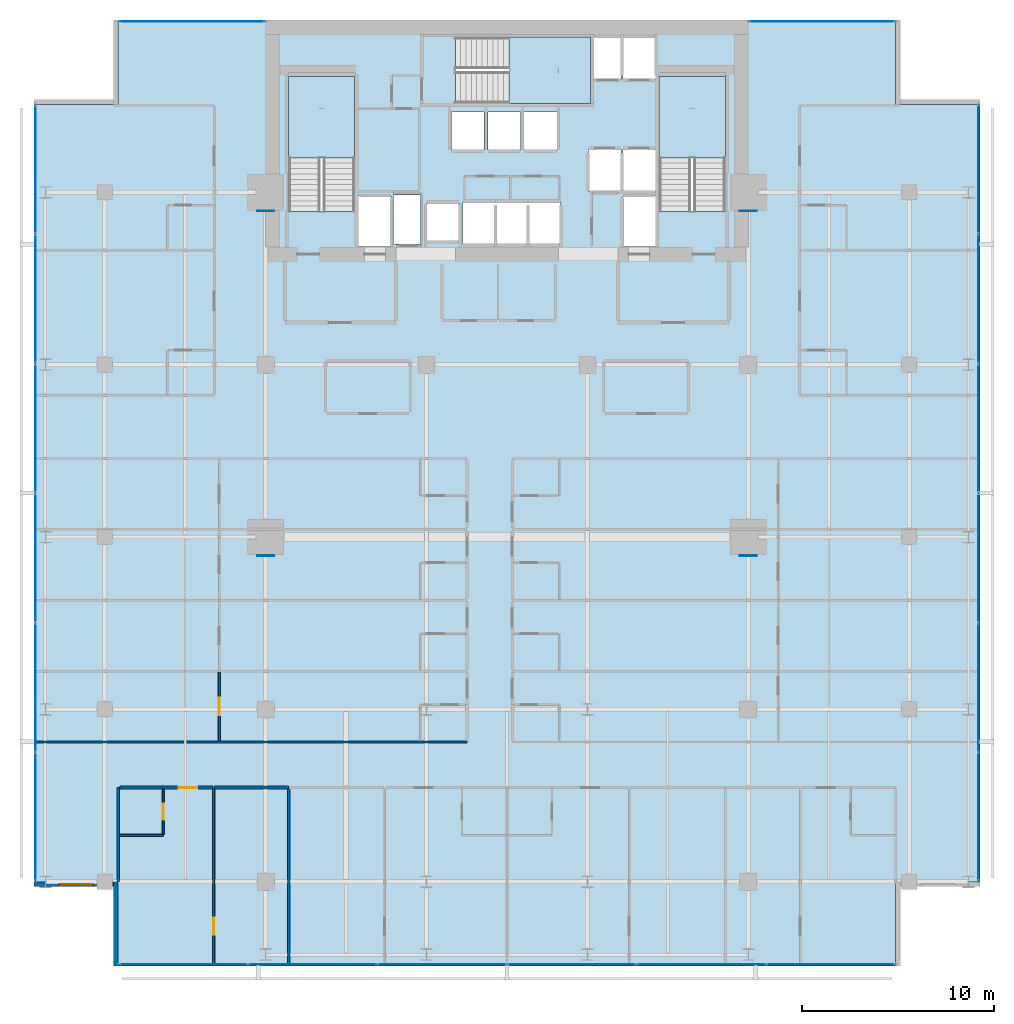
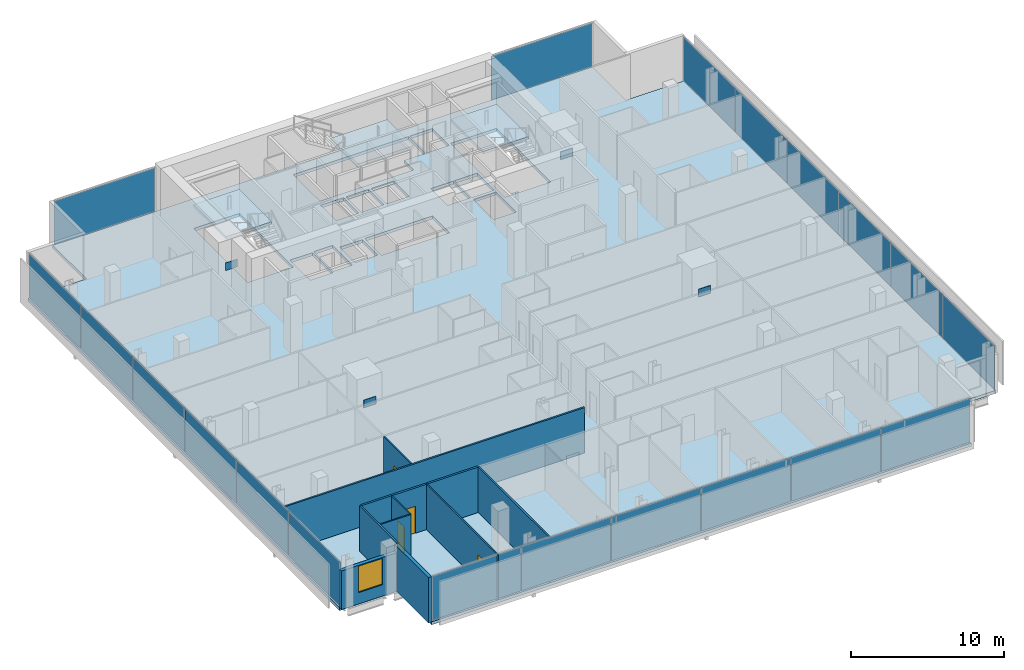
# One storey, part 26 of 34: 24 plates, 12 walls, 4 doors, 4 slabs, 1 window, 5 openings, 8 elements without a shape of their own.
"""IFC4 building model written with IfcOpenShell, lengths in metres."""

import ifcopenshell
import ifcopenshell.guid

model = None  # the IFC model being written
_history = None  # IfcOwnerHistory: only IFC2X3 demands one
_inside = {}  # id of a spatial element -> (the spatial element, [elements in it])
_under = {}  # id of a project, library or spatial element -> (it, [spatial elements below it])
_declared = {}  # id of a project -> (the project, [libraries it declares])
_typed = {}  # id of a type object -> (the type object, [elements of that type])
_made_of = {}  # id of a material, layer set ... -> (it, [elements and type objects made of it])


def new_model(schema):
    """Start an empty IFC model of exactly this schema.

    Asked for "IFC4X3", IfcOpenShell would pick the latest addendum, in which some entities
    have other attributes; the version numbers below select the first issue.
    IFC2X3 requires an IfcOwnerHistory on every rooted entity: one is made here for all.
    """
    global model, _history
    if schema == "IFC4X3":
        model = ifcopenshell.file(schema_version=(4, 3, 0, 0))
    else:
        model = ifcopenshell.file(schema=schema)
    _inside.clear()
    _under.clear()
    _declared.clear()
    _typed.clear()
    _made_of.clear()
    _history = None
    if model.schema == "IFC2X3":
        org = make("IfcOrganization", Name="unknown")
        user = make(
            "IfcPersonAndOrganization",
            ThePerson=make("IfcPerson", FamilyName="unknown"),
            TheOrganization=org,
        )
        app = make(
            "IfcApplication",
            ApplicationDeveloper=org,
            Version="unknown",
            ApplicationFullName="unknown",
            ApplicationIdentifier="unknown",
        )
        _history = make(
            "IfcOwnerHistory",
            OwningUser=user,
            OwningApplication=app,
            ChangeAction="ADDED",
            CreationDate=0,
        )
    return model


def make(cls, **values):
    """One entity of the class cls with the attributes given. An attribute that is None is left unset."""
    return model.create_entity(
        cls, **{name: value for name, value in values.items() if value is not None}
    )


def rooted(cls, **values):
    """An entity with a GlobalId (a new one), such as an element, a storey or a relation."""
    return make(cls, GlobalId=ifcopenshell.guid.new(), OwnerHistory=_history, **values)


def si_unit(unit_type, name, prefix=None):
    """IfcSIUnit, for example si_unit("LENGTHUNIT", "METRE", prefix="MILLI")."""
    return make("IfcSIUnit", UnitType=unit_type, Prefix=prefix, Name=name)


def assignment(units):
    """IfcUnitAssignment: the units of a project."""
    return None if units is None else make("IfcUnitAssignment", Units=units)


def point(xyz):
    """IfcCartesianPoint."""
    return None if xyz is None else make("IfcCartesianPoint", Coordinates=xyz)


def direction(xyz):
    """IfcDirection."""
    return None if xyz is None else make("IfcDirection", DirectionRatios=xyz)


def frame(location, z_axis=None, x_axis=None):
    """IfcAxis2Placement3D, a coordinate frame: its origin and axes. An axis left out is left unset."""
    return make(
        "IfcAxis2Placement3D",
        Location=point(location),
        Axis=direction(z_axis),
        RefDirection=direction(x_axis),
    )


def frame_2d(location, x_axis=None):
    """IfcAxis2Placement2D, a coordinate frame in the plane: its origin and x axis."""
    return make(
        "IfcAxis2Placement2D", Location=point(location), RefDirection=direction(x_axis)
    )


def origin():
    """The frame at (0, 0, 0) with its axes left unset."""
    return frame((0.0, 0.0, 0.0))


def origin_2d():
    """The frame at (0, 0) in the plane with its x axis left unset."""
    return frame_2d((0.0, 0.0))


def place(relative_to, where):
    """IfcLocalPlacement: puts the frame where relative to a parent placement (None: the world)."""
    return make(
        "IfcLocalPlacement", PlacementRelTo=relative_to, RelativePlacement=where
    )


def context(
    kind, dimensions, precision=None, world=None, true_north=None, identifier=None
):
    """IfcGeometricRepresentationContext, for example the 3D "Model" context."""
    return make(
        "IfcGeometricRepresentationContext",
        ContextIdentifier=identifier,
        ContextType=kind,
        CoordinateSpaceDimension=dimensions,
        Precision=precision,
        WorldCoordinateSystem=world,
        TrueNorth=true_north,
    )


def subcontext(parent, identifier, kind, view, scale=None):
    """IfcGeometricRepresentationSubContext, for example "Body" below "Model"."""
    return make(
        "IfcGeometricRepresentationSubContext",
        ContextIdentifier=identifier,
        ContextType=kind,
        ParentContext=parent,
        TargetScale=scale,
        TargetView=view,
    )


def project(units=None, contexts=None):
    """IfcProject with its units and contexts."""
    return rooted(
        "IfcProject",
        Name="project",
        RepresentationContexts=contexts,
        UnitsInContext=assignment(units),
    )


def spatial(cls, under=None, at=None, **own):
    """A site, building, storey or space (cls), placed at a placement, below another one or the project."""
    s = rooted(cls, ObjectPlacement=at, **own)
    if under is not None:
        _under.setdefault(under.id(), (under, []))[1].append(s)
    return s


def polyline(points):
    """IfcPolyline through the points."""
    return make("IfcPolyline", Points=[point(p) for p in points])


def profile(cls, at=None, kind="AREA", **sizes):
    """A parametric profile (cls). Its sizes go by their IFC names, for example OverallWidth=200.0."""
    return make(cls, ProfileType=kind, Position=at, **sizes)


def rectangle(**sizes):
    """IfcRectangleProfileDef."""
    return profile("IfcRectangleProfileDef", **sizes)


def outline(outer, holes=None, kind="AREA"):
    """IfcArbitraryClosedProfileDef: a profile drawn as a closed curve; with holes, ...WithVoids."""
    if holes is None:
        return make("IfcArbitraryClosedProfileDef", ProfileType=kind, OuterCurve=outer)
    return make(
        "IfcArbitraryProfileDefWithVoids",
        ProfileType=kind,
        OuterCurve=outer,
        InnerCurves=holes,
    )


def extrude(swept, where, along, depth):
    """IfcExtrudedAreaSolid: the profile swept, set in the frame where, extruded along a direction by depth."""
    return make(
        "IfcExtrudedAreaSolid",
        SweptArea=swept,
        Position=where,
        ExtrudedDirection=direction(along),
        Depth=depth,
    )


def shape(context_of_items, identifier, shape_type, items):
    """IfcShapeRepresentation: the items that make up one representation, for example the "Body"."""
    return make(
        "IfcShapeRepresentation",
        ContextOfItems=context_of_items,
        RepresentationIdentifier=identifier,
        RepresentationType=shape_type,
        Items=items,
    )


def material(Name=None, Category=None):
    """IfcMaterial."""
    return make("IfcMaterial", Name=Name, Category=Category)


def layer(
    of_material, thickness, ventilated=None, Name=None, Category=None, Priority=None
):
    """IfcMaterialLayer: one layer of a wall or slab, of a material (None: an air gap)."""
    return make(
        "IfcMaterialLayer",
        Material=of_material,
        LayerThickness=thickness,
        IsVentilated=ventilated,
        Name=Name,
        Category=Category,
        Priority=Priority,
    )


def layer_set(layers, Name=None):
    """IfcMaterialLayerSet."""
    return make("IfcMaterialLayerSet", MaterialLayers=layers, LayerSetName=Name)


def made_of(thing, what):
    """Note that an element or type object is made of a material, layer set ...; save() writes the relation."""
    if what is not None:
        _made_of.setdefault(what.id(), (what, []))[1].append(thing)
    return thing


def type_object(cls, material=None, **own):
    """A type object (cls), such as IfcWallType, which elements share."""
    return made_of(rooted(cls, **own), material)


def element(
    cls,
    number,
    at=None,
    inside=None,
    cuts=None,
    type_object=None,
    material=None,
    context=None,
    identifier="Body",
    shape_type=None,
    held_by="IfcProductDefinitionShape",
    body=None,
    shapes=None,
    **own,
):
    """One element of the class cls, such as IfcWall. Its Tag is "e" and its number.

    at: its placement. inside: the storey or other place that contains it. cuts: it is an
    opening in that element (IfcRelVoidsElement). A single representation is given by context,
    identifier, shape_type and body (its items); several are given by shapes. held_by: the class
    of the entity that holds the representations. save() writes the other relations.
    """
    e = rooted(cls, Tag="e%d" % number, ObjectPlacement=at, **own)
    if body is not None:
        shapes = [shape(context, identifier, shape_type, body)]
    if shapes is not None:
        e.Representation = make(held_by, Representations=shapes)
    if inside is not None:
        _inside.setdefault(inside.id(), (inside, []))[1].append(e)
    if cuts is not None:
        rooted(
            "IfcRelVoidsElement", RelatingBuildingElement=cuts, RelatedOpeningElement=e
        )
    if type_object is not None:
        _typed.setdefault(type_object.id(), (type_object, []))[1].append(e)
    return made_of(e, material)


def fill(opening, filler):
    """IfcRelFillsElement: the door or window that sits in an opening."""
    return rooted(
        "IfcRelFillsElement",
        RelatingOpeningElement=opening,
        RelatedBuildingElement=filler,
    )


def aggregate(whole, parts):
    """IfcRelAggregates: a whole, such as a stair, and the parts it consists of."""
    return rooted("IfcRelAggregates", RelatingObject=whole, RelatedObjects=parts)


def save(model, path):
    """Write the relations noted so far, then the file.

    IfcRelAggregates (storeys below a building ...), IfcRelContainedInSpatialStructure (elements
    in a storey), IfcRelDefinesByType, IfcRelAssociatesMaterial and IfcRelDeclares: one each for
    every whole, place, type object, material and project.
    """
    for whole, parts in _under.values():
        aggregate(whole, parts)
    for where, things in _inside.values():
        rooted(
            "IfcRelContainedInSpatialStructure",
            RelatedElements=things,
            RelatingStructure=where,
        )
    for kind, things in _typed.values():
        rooted("IfcRelDefinesByType", RelatedObjects=things, RelatingType=kind)
    for what, things in _made_of.values():
        rooted("IfcRelAssociatesMaterial", RelatedObjects=things, RelatingMaterial=what)
    for by, libraries in _declared.values():
        rooted("IfcRelDeclares", RelatingContext=by, RelatedDefinitions=libraries)
    model.write(path)


model = new_model("IFC4")

# Units and contexts
model_context = context("Model", 3, precision=1e-05, world=origin(), true_north=direction((0.0, 1.0)))
body_context = subcontext(model_context, "Body", "Model", "MODEL_VIEW")
ifc_project = project(units=[si_unit("LENGTHUNIT", "METRE"), si_unit("AREAUNIT", "SQUARE_METRE"), si_unit("VOLUMEUNIT", "CUBIC_METRE"), si_unit("PLANEANGLEUNIT", "RADIAN"), si_unit("MASSUNIT", "GRAM", prefix="KILO")], contexts=[model_context])

# Site, building, storey
site_placement = place(None, origin())
site = spatial("IfcSite", under=ifc_project, at=site_placement, CompositionType="ELEMENT")
building_placement = place(site_placement, origin())
building = spatial("IfcBuilding", under=site, at=building_placement, Name="Maruvema Waterfront Hotel and Observation Tower", CompositionType="ELEMENT")
storey_placement = place(building_placement, frame((0.0, 0.0, 192.85009765625)))
storey = spatial("IfcBuildingStorey", under=building, at=storey_placement, Name="L47", CompositionType="ELEMENT", Elevation=192.85009765625)

# Slab
ifc_material_1 = material(Name="Concrete C50/60", Category="concrete")
ifc_layer_1 = layer(ifc_material_1, 0.239990234375, Name="Reinforced Concrete Floor Slab 240 mm")
ifc_layer_set_1 = layer_set([ifc_layer_1], Name="Concrete C50/60")
slab_type_1 = type_object("IfcSlabType", Name="Reinforced Concrete Floor Slab 240 mm", PredefinedType="FLOOR", material=ifc_layer_set_1)
slab_1_placement = place(storey_placement, frame((0.0, 0.0, -0.239990234375)))
element("IfcSlab", 1, at=slab_1_placement, inside=storey, type_object=slab_type_1, Name="L47 Structural Floor Slab", PredefinedType="FLOOR", context=body_context, shape_type="SweptSolid", body=[
    extrude(outline(polyline([(17.5, 4.60009765625), (58.10009765625, 4.60009765625), (58.10009765625, 9.0), (62.5, 9.0), (62.5, 49.60009765625), (58.10009765625, 49.60009765625), (58.10009765625, 54.0), (17.5, 54.0), (17.5, 49.60009765625), (13.10009765625, 49.60009765625), (13.10009765625, 9.0), (17.5, 9.0), (17.5, 4.60009765625)]), holes=[polyline([(26.39990234375, 44.00048828125), (26.39990234375, 51.050048828125), (29.85009765625, 51.050048828125), (29.85009765625, 44.00048828125), (26.39990234375, 44.00048828125)]), polyline([(30.050048828125, 44.800048828125), (31.75, 44.800048828125), (31.75, 42.169921875), (30.050048828125, 42.169921875), (30.050048828125, 44.800048828125)]), polyline([(31.8798828125, 44.860107421875), (33.280029296875, 44.860107421875), (33.280029296875, 42.2900390625), (31.8798828125, 42.2900390625), (31.8798828125, 44.860107421875)]), polyline([(33.60009765625, 44.449951171875), (35.300048828125, 44.449951171875), (35.300048828125, 42.449951171875), (33.60009765625, 42.449951171875), (33.60009765625, 44.449951171875)]), polyline([(34.89990234375, 49.199951171875), (36.60009765625, 49.199951171875), (36.60009765625, 47.199951171875), (34.89990234375, 47.199951171875), (34.89990234375, 49.199951171875)]), polyline([(36.800048828125, 49.199951171875), (38.5, 49.199951171875), (38.5, 47.199951171875), (36.800048828125, 47.199951171875), (36.800048828125, 49.199951171875)]), polyline([(35.5, 42.300048828125), (35.5, 44.5), (40.60009765625, 44.5), (40.60009765625, 42.300048828125), (35.5, 42.300048828125)]), polyline([(35.1005859375, 53.10009765625), (43.75, 53.10009765625), (43.75, 50.89990234375), (42.14990234375, 50.89990234375), (42.14990234375, 49.64990234375), (35.1005859375, 49.64990234375), (35.1005859375, 53.10009765625)]), polyline([(38.699951171875, 49.199951171875), (40.39990234375, 49.199951171875), (40.39990234375, 47.199951171875), (38.699951171875, 47.199951171875), (38.699951171875, 49.199951171875)]), polyline([(42.050048828125, 47.25), (43.75, 47.25), (43.75, 45.050048828125), (42.050048828125, 45.050048828125), (42.050048828125, 47.25)]), polyline([(43.85009765625, 44.800048828125), (45.550048828125, 44.800048828125), (45.550048828125, 42.169921875), (43.85009765625, 42.169921875), (43.85009765625, 44.800048828125)]), polyline([(43.85009765625, 47.25), (45.550048828125, 47.25), (45.550048828125, 45.050048828125), (43.85009765625, 45.050048828125), (43.85009765625, 47.25)]), polyline([(45.550048828125, 53.10009765625), (45.550048828125, 50.89990234375), (43.85009765625, 50.89990234375), (43.85009765625, 53.10009765625), (45.550048828125, 53.10009765625)]), polyline([(45.75, 44.00048828125), (45.75, 51.050048828125), (49.199951171875, 51.050048828125), (49.199951171875, 44.00048828125), (45.75, 44.00048828125)])]), origin(), (0.0, 0.0, 1.0), 0.239990234375),
])

# Curtain wall, plates
ifc_material_2 = material(Name="Anodised bronze aluminium and solar-control low-E IGU", Category="aluminium")
ifc_layer_2 = layer(ifc_material_2, 0.159912109375, Name="Zone 2 Amber Inner Thermal Curtain Wall System CW-03")
ifc_layer_set_2 = layer_set([ifc_layer_2], Name="Anodised bronze aluminium and solar-control low-E IGU")
curtain_wall_type = type_object("IfcCurtainWallType", Name="Zone 2 Amber Inner Thermal Curtain Wall System CW-03", PredefinedType="USERDEFINED", material=ifc_layer_set_2)
curtain_wall_1_placement = place(storey_placement, origin())
curtain_wall_1 = element("IfcCurtainWall", 2, at=curtain_wall_1_placement, inside=storey, type_object=curtain_wall_type, Name="L47 Curtain Wall CW-L47-S", ObjectType="UNITISED CURTAIN WALL", PredefinedType="USERDEFINED")
ifc_material_3 = material(Name="Laminated low-E solar-control double glazing", Category="glass")
ifc_layer_3 = layer(ifc_material_3, 0.035888671875, Name="Solar Control Double-Glazed Curtain Panel 36 mm")
ifc_layer_set_3 = layer_set([ifc_layer_3], Name="Laminated low-E solar-control double glazing")
plate_type_1 = type_object("IfcPlateType", Name="Solar Control Double-Glazed Curtain Panel 36 mm", PredefinedType="CURTAIN_PANEL", material=ifc_layer_set_3)
plate_1_placement = place(storey_placement, frame((20.8984375, 4.679931640625, 0.06005859375), z_axis=(0.0, 0.0, 1.0), x_axis=(1.0, 0.0, 0.0)))
plate_1 = element("IfcPlate", 3, at=plate_1_placement, type_object=plate_type_1, Name="CW-03 panel 1.1", PredefinedType="CURTAIN_PANEL", context=body_context, shape_type="SweptSolid", body=[
    extrude(rectangle(XDim=6.6767578125, YDim=0.028076171875, at=origin_2d()), origin(), (0.0, 0.0, 1.0), 3.489990234375),
])
plate_2_placement = place(storey_placement, frame((27.64990234375, 4.679931640625, 0.06005859375), z_axis=(0.0, 0.0, 1.0), x_axis=(1.0, 0.0, 0.0)))
plate_2 = element("IfcPlate", 4, at=plate_2_placement, type_object=plate_type_1, Name="CW-03 panel 2.1", PredefinedType="CURTAIN_PANEL", context=body_context, shape_type="SweptSolid", body=[
    extrude(rectangle(XDim=6.706787109375, YDim=0.028076171875, at=origin_2d()), origin(), (0.0, 0.0, 1.0), 3.489990234375),
])
plate_3_placement = place(storey_placement, frame((34.416748046875, 4.679931640625, 0.06005859375), z_axis=(0.0, 0.0, 1.0), x_axis=(1.0, 0.0, 0.0)))
plate_3 = element("IfcPlate", 5, at=plate_3_placement, type_object=plate_type_1, Name="CW-03 panel 3.1", PredefinedType="CURTAIN_PANEL", context=body_context, shape_type="SweptSolid", body=[
    extrude(rectangle(XDim=6.706787109375, YDim=0.028076171875, at=origin_2d()), origin(), (0.0, 0.0, 1.0), 3.489990234375),
])
plate_4_placement = place(storey_placement, frame((41.183349609375, 4.679931640625, 0.06005859375), z_axis=(0.0, 0.0, 1.0), x_axis=(1.0, 0.0, 0.0)))
plate_4 = element("IfcPlate", 6, at=plate_4_placement, type_object=plate_type_1, Name="CW-03 panel 4.1", PredefinedType="CURTAIN_PANEL", context=body_context, shape_type="SweptSolid", body=[
    extrude(rectangle(XDim=6.706787109375, YDim=0.028076171875, at=origin_2d()), origin(), (0.0, 0.0, 1.0), 3.489990234375),
])
plate_5_placement = place(storey_placement, frame((47.949951171875, 4.679931640625, 0.06005859375), z_axis=(0.0, 0.0, 1.0), x_axis=(1.0, 0.0, 0.0)))
plate_5 = element("IfcPlate", 7, at=plate_5_placement, type_object=plate_type_1, Name="CW-03 panel 5.1", PredefinedType="CURTAIN_PANEL", context=body_context, shape_type="SweptSolid", body=[
    extrude(rectangle(XDim=6.706787109375, YDim=0.028076171875, at=origin_2d()), origin(), (0.0, 0.0, 1.0), 3.489990234375),
])
plate_6_placement = place(storey_placement, frame((54.70166015625, 4.679931640625, 0.06005859375), z_axis=(0.0, 0.0, 1.0), x_axis=(1.0, 0.0, 0.0)))
plate_6 = element("IfcPlate", 8, at=plate_6_placement, type_object=plate_type_1, Name="CW-03 panel 6.1", PredefinedType="CURTAIN_PANEL", context=body_context, shape_type="SweptSolid", body=[
    extrude(rectangle(XDim=6.6767578125, YDim=0.028076171875, at=origin_2d()), origin(), (0.0, 0.0, 1.0), 3.489990234375),
])
aggregate(curtain_wall_1, [plate_1, plate_2, plate_3, plate_4, plate_5, plate_6])

curtain_wall_2_placement = place(storey_placement, origin())
curtain_wall_2 = element("IfcCurtainWall", 9, at=curtain_wall_2_placement, inside=storey, type_object=curtain_wall_type, Name="L47 Curtain Wall CW-L47-E", ObjectType="UNITISED CURTAIN WALL", PredefinedType="USERDEFINED")
plate_7_placement = place(storey_placement, frame((62.419921875, 12.3984375, 0.06005859375), z_axis=(0.0, 0.0, 1.0), x_axis=(0.0, 1.0, 0.0)))
plate_7 = element("IfcPlate", 10, at=plate_7_placement, type_object=plate_type_1, Name="CW-03 panel 1.1", PredefinedType="CURTAIN_PANEL", context=body_context, shape_type="SweptSolid", body=[
    extrude(rectangle(XDim=6.6767578125, YDim=0.028076171875, at=origin_2d()), origin(), (0.0, 0.0, 1.0), 3.489990234375),
])
plate_8_placement = place(storey_placement, frame((62.419921875, 19.14990234375, 0.06005859375), z_axis=(0.0, 0.0, 1.0), x_axis=(0.0, 1.0, 0.0)))
plate_8 = element("IfcPlate", 11, at=plate_8_placement, type_object=plate_type_1, Name="CW-03 panel 2.1", PredefinedType="CURTAIN_PANEL", context=body_context, shape_type="SweptSolid", body=[
    extrude(rectangle(XDim=6.706787109375, YDim=0.028076171875, at=origin_2d()), origin(), (0.0, 0.0, 1.0), 3.489990234375),
])
plate_9_placement = place(storey_placement, frame((62.419921875, 25.916748046875, 0.06005859375), z_axis=(0.0, 0.0, 1.0), x_axis=(0.0, 1.0, 0.0)))
plate_9 = element("IfcPlate", 12, at=plate_9_placement, type_object=plate_type_1, Name="CW-03 panel 3.1", PredefinedType="CURTAIN_PANEL", context=body_context, shape_type="SweptSolid", body=[
    extrude(rectangle(XDim=6.706787109375, YDim=0.028076171875, at=origin_2d()), origin(), (0.0, 0.0, 1.0), 3.489990234375),
])
plate_10_placement = place(storey_placement, frame((62.419921875, 32.683349609375, 0.06005859375), z_axis=(0.0, 0.0, 1.0), x_axis=(0.0, 1.0, 0.0)))
plate_10 = element("IfcPlate", 13, at=plate_10_placement, type_object=plate_type_1, Name="CW-03 panel 4.1", PredefinedType="CURTAIN_PANEL", context=body_context, shape_type="SweptSolid", body=[
    extrude(rectangle(XDim=6.706787109375, YDim=0.028076171875, at=origin_2d()), origin(), (0.0, 0.0, 1.0), 3.489990234375),
])
plate_11_placement = place(storey_placement, frame((62.419921875, 39.449951171875, 0.06005859375), z_axis=(0.0, 0.0, 1.0), x_axis=(0.0, 1.0, 0.0)))
plate_11 = element("IfcPlate", 14, at=plate_11_placement, type_object=plate_type_1, Name="CW-03 panel 5.1", PredefinedType="CURTAIN_PANEL", context=body_context, shape_type="SweptSolid", body=[
    extrude(rectangle(XDim=6.706787109375, YDim=0.028076171875, at=origin_2d()), origin(), (0.0, 0.0, 1.0), 3.489990234375),
])
plate_12_placement = place(storey_placement, frame((62.419921875, 46.20166015625, 0.06005859375), z_axis=(0.0, 0.0, 1.0), x_axis=(0.0, 1.0, 0.0)))
plate_12 = element("IfcPlate", 15, at=plate_12_placement, type_object=plate_type_1, Name="CW-03 panel 6.1", PredefinedType="CURTAIN_PANEL", context=body_context, shape_type="SweptSolid", body=[
    extrude(rectangle(XDim=6.6767578125, YDim=0.028076171875, at=origin_2d()), origin(), (0.0, 0.0, 1.0), 3.489990234375),
])
aggregate(curtain_wall_2, [plate_7, plate_8, plate_9, plate_10, plate_11, plate_12])

curtain_wall_3_placement = place(storey_placement, origin())
curtain_wall_3 = element("IfcCurtainWall", 16, at=curtain_wall_3_placement, inside=storey, type_object=curtain_wall_type, Name="L47 Curtain Wall CW-L47-W", ObjectType="UNITISED CURTAIN WALL", PredefinedType="USERDEFINED")
plate_13_placement = place(storey_placement, frame((13.179931640625, 46.20166015625, 0.06005859375), z_axis=(0.0, 0.0, 1.0), x_axis=(0.0, -1.0, 0.0)))
plate_13 = element("IfcPlate", 17, at=plate_13_placement, type_object=plate_type_1, Name="CW-03 panel 1.1", PredefinedType="CURTAIN_PANEL", context=body_context, shape_type="SweptSolid", body=[
    extrude(rectangle(XDim=6.6767578125, YDim=0.028076171875, at=origin_2d()), origin(), (0.0, 0.0, 1.0), 3.489990234375),
])
plate_14_placement = place(storey_placement, frame((13.179931640625, 39.449951171875, 0.06005859375), z_axis=(0.0, 0.0, 1.0), x_axis=(0.0, -1.0, 0.0)))
plate_14 = element("IfcPlate", 18, at=plate_14_placement, type_object=plate_type_1, Name="CW-03 panel 2.1", PredefinedType="CURTAIN_PANEL", context=body_context, shape_type="SweptSolid", body=[
    extrude(rectangle(XDim=6.706787109375, YDim=0.028076171875, at=origin_2d()), origin(), (0.0, 0.0, 1.0), 3.489990234375),
])
plate_15_placement = place(storey_placement, frame((13.179931640625, 32.683349609375, 0.06005859375), z_axis=(0.0, 0.0, 1.0), x_axis=(0.0, -1.0, 0.0)))
plate_15 = element("IfcPlate", 19, at=plate_15_placement, type_object=plate_type_1, Name="CW-03 panel 3.1", PredefinedType="CURTAIN_PANEL", context=body_context, shape_type="SweptSolid", body=[
    extrude(rectangle(XDim=6.706787109375, YDim=0.028076171875, at=origin_2d()), origin(), (0.0, 0.0, 1.0), 3.489990234375),
])
plate_16_placement = place(storey_placement, frame((13.179931640625, 25.916748046875, 0.06005859375), z_axis=(0.0, 0.0, 1.0), x_axis=(0.0, -1.0, 0.0)))
plate_16 = element("IfcPlate", 20, at=plate_16_placement, type_object=plate_type_1, Name="CW-03 panel 4.1", PredefinedType="CURTAIN_PANEL", context=body_context, shape_type="SweptSolid", body=[
    extrude(rectangle(XDim=6.706787109375, YDim=0.028076171875, at=origin_2d()), origin(), (0.0, 0.0, 1.0), 3.489990234375),
])
plate_17_placement = place(storey_placement, frame((13.179931640625, 19.14990234375, 0.06005859375), z_axis=(0.0, 0.0, 1.0), x_axis=(0.0, -1.0, 0.0)))
plate_17 = element("IfcPlate", 21, at=plate_17_placement, type_object=plate_type_1, Name="CW-03 panel 5.1", PredefinedType="CURTAIN_PANEL", context=body_context, shape_type="SweptSolid", body=[
    extrude(rectangle(XDim=6.706787109375, YDim=0.028076171875, at=origin_2d()), origin(), (0.0, 0.0, 1.0), 3.489990234375),
])
plate_18_placement = place(storey_placement, frame((13.179931640625, 12.3984375, 0.06005859375), z_axis=(0.0, 0.0, 1.0), x_axis=(0.0, -1.0, 0.0)))
plate_18 = element("IfcPlate", 22, at=plate_18_placement, type_object=plate_type_1, Name="CW-03 panel 6.1", PredefinedType="CURTAIN_PANEL", context=body_context, shape_type="SweptSolid", body=[
    extrude(rectangle(XDim=6.6767578125, YDim=0.028076171875, at=origin_2d()), origin(), (0.0, 0.0, 1.0), 3.489990234375),
])
aggregate(curtain_wall_3, [plate_13, plate_14, plate_15, plate_16, plate_17, plate_18])

# Curtain wall, plate
curtain_wall_4_placement = place(storey_placement, origin())
curtain_wall_4 = element("IfcCurtainWall", 23, at=curtain_wall_4_placement, inside=storey, type_object=curtain_wall_type, Name="L47 Curtain Wall CW-L47-NW", ObjectType="UNITISED CURTAIN WALL", PredefinedType="USERDEFINED")
plate_19_placement = place(storey_placement, frame((21.35009765625, 53.919921875, 0.06005859375), z_axis=(0.0, 0.0, 1.0), x_axis=(-1.0, 0.0, 0.0)))
plate_19 = element("IfcPlate", 24, at=plate_19_placement, type_object=plate_type_1, Name="CW-03 panel 1.1", PredefinedType="CURTAIN_PANEL", context=body_context, shape_type="SweptSolid", body=[
    extrude(rectangle(XDim=7.580078125, YDim=0.028076171875, at=origin_2d()), origin(), (0.0, 0.0, 1.0), 3.489990234375),
])
aggregate(curtain_wall_4, [plate_19])

curtain_wall_5_placement = place(storey_placement, origin())
curtain_wall_5 = element("IfcCurtainWall", 25, at=curtain_wall_5_placement, inside=storey, type_object=curtain_wall_type, Name="L47 Curtain Wall CW-L47-NE", ObjectType="UNITISED CURTAIN WALL", PredefinedType="USERDEFINED")
plate_20_placement = place(storey_placement, frame((54.25, 53.919921875, 0.06005859375), z_axis=(0.0, 0.0, 1.0), x_axis=(-1.0, 0.0, 0.0)))
plate_20 = element("IfcPlate", 26, at=plate_20_placement, type_object=plate_type_1, Name="CW-03 panel 1.1", PredefinedType="CURTAIN_PANEL", context=body_context, shape_type="SweptSolid", body=[
    extrude(rectangle(XDim=7.580078125, YDim=0.028076171875, at=origin_2d()), origin(), (0.0, 0.0, 1.0), 3.489990234375),
])
aggregate(curtain_wall_5, [plate_20])

# Stair, slab
ifc_material_4 = material(Name="Concrete C50/60", Category="concrete")
stair_type = type_object("IfcStairType", Name="Dogleg Exit Stair 1650 mm (22R x 175.0 mm)", PredefinedType="HALF_TURN_STAIR", material=ifc_material_4)
stair_1_placement = place(storey_placement, origin())
stair_1 = element("IfcStair", 27, at=stair_1_placement, inside=storey, type_object=stair_type, Name="L47 ST-01", PredefinedType="HALF_TURN_STAIR")
ifc_material_5 = material(Name="Concrete C50/60", Category="concrete")
ifc_layer_4 = layer(ifc_material_5, 0.219970703125, Name="Stair Concrete Landing Slab 220 mm")
ifc_layer_set_4 = layer_set([ifc_layer_4], Name="Concrete C50/60")
slab_type_2 = type_object("IfcSlabType", Name="Stair Concrete Landing Slab 220 mm", PredefinedType="LANDING", material=ifc_layer_set_4)
slab_2_placement = place(storey_placement, frame((0.0, 0.0, 1.704833984375)))
slab_2 = element("IfcSlab", 28, at=slab_2_placement, type_object=slab_type_2, Name="ST-01 landing 1", PredefinedType="LANDING", context=body_context, shape_type="SweptSolid", body=[
    extrude(outline(polyline([(29.85009765625, 46.800048828125), (29.85009765625, 51.050048828125), (26.39990234375, 51.050048828125), (26.39990234375, 46.800048828125), (29.85009765625, 46.800048828125)])), origin(), (0.0, 0.0, 1.0), 0.219970703125),
])
aggregate(stair_1, [slab_2])

stair_2_placement = place(storey_placement, origin())
stair_2 = element("IfcStair", 29, at=stair_2_placement, inside=storey, type_object=stair_type, Name="L47 ST-02", PredefinedType="HALF_TURN_STAIR")
slab_3_placement = place(storey_placement, frame((0.0, 0.0, 1.704833984375)))
slab_3 = element("IfcSlab", 30, at=slab_3_placement, type_object=slab_type_2, Name="ST-02 landing 1", PredefinedType="LANDING", context=body_context, shape_type="SweptSolid", body=[
    extrude(outline(polyline([(37.89990234375, 49.64990234375), (42.14990234375, 49.64990234375), (42.14990234375, 53.10009765625), (37.89990234375, 53.10009765625), (37.89990234375, 49.64990234375)])), origin(), (0.0, 0.0, 1.0), 0.219970703125),
])
aggregate(stair_2, [slab_3])

stair_3_placement = place(storey_placement, origin())
stair_3 = element("IfcStair", 31, at=stair_3_placement, inside=storey, type_object=stair_type, Name="L47 ST-03", PredefinedType="HALF_TURN_STAIR")
slab_4_placement = place(storey_placement, frame((0.0, 0.0, 1.704833984375)))
slab_4 = element("IfcSlab", 32, at=slab_4_placement, type_object=slab_type_2, Name="ST-03 landing 1", PredefinedType="LANDING", context=body_context, shape_type="SweptSolid", body=[
    extrude(outline(polyline([(49.199951171875, 46.800048828125), (49.199951171875, 51.050048828125), (45.75, 51.050048828125), (45.75, 46.800048828125), (49.199951171875, 46.800048828125)])), origin(), (0.0, 0.0, 1.0), 0.219970703125),
])
aggregate(stair_3, [slab_4])

# Plates
ifc_material_6 = material(Name="Steel ABNT NBR 7007 AR 415 (ASTM A572 Grade 50)", Category="steel")
ifc_layer_5 = layer(ifc_material_6, 0.0400390625, Name="Structural Truss Node Gusset Plate 40 mm")
ifc_layer_set_5 = layer_set([ifc_layer_5], Name="Steel ABNT NBR 7007 AR 415 (ASTM A572 Grade 50)")
plate_type_2 = type_object("IfcPlateType", Name="Structural Truss Node Gusset Plate 40 mm", PredefinedType="USERDEFINED", material=ifc_layer_set_5)
for number, where, z_axis, x_axis, name in (
    (33, (25.199951171875, 26.030029296875, 1.499755859375), (0.0, 0.0, 1.0), (1.0, 0.0, 0.0), "L47 MC-01 Moment Frame Continuity Gusset Plate"),
    (34, (50.39990234375, 26.030029296875, 1.499755859375), (0.0, 0.0, 1.0), (1.0, 0.0, 0.0), "L47 MC-02 Moment Frame Continuity Gusset Plate"),
    (35, (25.199951171875, 44.030029296875, 1.499755859375), (0.0, 0.0, 1.0), (1.0, 0.0, 0.0), "L47 MC-03 Moment Frame Continuity Gusset Plate"),
    (36, (50.39990234375, 44.030029296875, 1.499755859375), (0.0, 0.0, 1.0), (1.0, 0.0, 0.0), "L47 MC-04 Moment Frame Continuity Gusset Plate"),
):
    element("IfcPlate", number, at=place(storey_placement, frame(where, z_axis=z_axis, x_axis=x_axis)), inside=storey, type_object=plate_type_2, Name=name, ObjectType="GUSSET_PLATE", PredefinedType="USERDEFINED", context=body_context, shape_type="SweptSolid", body=[
        extrude(rectangle(XDim=0.89990234375, YDim=0.0400390625, at=origin_2d()), origin(), (0.0, 0.0, 1.0), 0.60009765625),
    ])

# Wall
ifc_material_7 = material(Name="Twin-stud acoustic gypsum drywall", Category="gypsum")
ifc_layer_6 = layer(ifc_material_7, 0.14990234375, Name="Acoustic Corridor and Suite Demising Wall 150 mm")
ifc_layer_set_6 = layer_set([ifc_layer_6], Name="Twin-stud acoustic gypsum drywall")
wall_type_1 = type_object("IfcWallType", Name="Acoustic Corridor and Suite Demising Wall 150 mm", PredefinedType="PARTITIONING", material=ifc_layer_set_6)
wall_1_placement = place(storey_placement, frame((17.580078125, 13.919921875, 0.0), z_axis=(0.0, 0.0, 1.0), x_axis=(1.0, 0.0, 0.0)))
element("IfcWall", 37, at=wall_1_placement, inside=storey, type_object=wall_type_1, Name="L47 Bath L47-S1 Back Wall 037", PredefinedType="PARTITIONING", context=body_context, shape_type="SweptSolid", body=[
    extrude(rectangle(XDim=2.27001953125, YDim=0.14990234375, at=frame_2d((1.135009765625, 0.0))), origin(), (0.0, 0.0, 1.0), 3.60986328125),
])

# Wall, opening, door
wall_2_placement = place(storey_placement, frame((19.85009765625, 13.919921875, 0.0), z_axis=(0.0, 0.0, 1.0), x_axis=(1.0, 0.0, 0.0)))
wall_2 = element("IfcWall", 38, at=wall_2_placement, inside=storey, type_object=wall_type_1, Name="L47 Unit L47-S1 Corridor Wall 040", PredefinedType="PARTITIONING", context=body_context, shape_type="SweptSolid", body=[
    extrude(rectangle(XDim=2.593994140625, YDim=0.14990234375, at=frame_2d((1.296875, 0.0))), origin(), (0.0, 0.0, 1.0), 3.60986328125),
])
opening_1_placement = place(wall_2_placement, frame((0.822021484375, 0.0, 0.0)))
opening_1 = element("IfcOpeningElement", 39, at=opening_1_placement, cuts=wall_2, Name="Opening DR-095", PredefinedType="OPENING", context=body_context, shape_type="SweptSolid", body=[
    extrude(rectangle(XDim=0.949951171875, YDim=2.14990234375, at=frame_2d((0.47509765625, 1.074951171875))), frame((0.0, 0.0849609375, 0.0), z_axis=(0.0, -1.0, 0.0), x_axis=(1.0, 0.0, 0.0)), (0.0, 0.0, 1.0), 0.169921875),
])
ifc_material_8 = material(Name="Acoustic solid-core hardwood timber leaf", Category="wood")
door_type_1 = type_object("IfcDoorType", Name="Guestroom Entrance Fire Door 950x2150 mm", OperationType="NOTDEFINED", PredefinedType="DOOR", material=ifc_material_8)
door_1_placement = place(opening_1_placement, frame((0.949951171875, 0.0, 0.0), z_axis=(0.0, 0.0, 1.0), x_axis=(-1.0, 0.0, 0.0)))
door_1 = element("IfcDoor", 40, at=door_1_placement, inside=storey, type_object=door_type_1, Name="L47 Unit L47-S1 Entrance Door", OperationType="SINGLE_SWING_RIGHT", OverallHeight=2.14990234375, OverallWidth=0.949951171875, PredefinedType="DOOR", context=body_context, shape_type="SweptSolid", body=[
    extrude(rectangle(XDim=0.949951171875, YDim=2.14990234375, at=frame_2d((0.47509765625, 1.074951171875))), frame((0.0, 0.02490234375, 0.0), z_axis=(0.0, -1.0, 0.0), x_axis=(1.0, 0.0, 0.0)), (0.0, 0.0, 1.0), 0.050048828125),
])
fill(opening_1, door_1)

# Walls
wall_3_placement = place(storey_placement, frame((22.52392578125, 13.919921875, 0.0), z_axis=(0.0, 0.0, 1.0), x_axis=(1.0, 0.0, 0.0)))
element("IfcWall", 41, at=wall_3_placement, inside=storey, type_object=wall_type_1, Name="L47 Bedroom L47-S1 Back Wall 041", PredefinedType="PARTITIONING", context=body_context, shape_type="SweptSolid", body=[
    extrude(rectangle(XDim=3.85595703125, YDim=0.14990234375, at=frame_2d((1.927978515625, 0.0))), origin(), (0.0, 0.0, 1.0), 3.60986328125),
])
ifc_material_9 = material(Name="Moisture-resistant cement-board drywall", Category="gypsum")
ifc_layer_7 = layer(ifc_material_9, 0.10009765625, Name="En-Suite Moisture-Resistant Partition 100 mm")
ifc_layer_set_7 = layer_set([ifc_layer_7], Name="Moisture-resistant cement-board drywall")
wall_type_2 = type_object("IfcWallType", Name="En-Suite Moisture-Resistant Partition 100 mm", PredefinedType="PARTITIONING", material=ifc_layer_set_7)
wall_4_placement = place(storey_placement, frame((17.580078125, 11.419921875, 0.0), z_axis=(0.0, 0.0, 1.0), x_axis=(1.0, 0.0, 0.0)))
element("IfcWall", 42, at=wall_4_placement, inside=storey, type_object=wall_type_2, Name="L47 En-Suite L47-S1 South 038", PredefinedType="PARTITIONING", context=body_context, shape_type="SweptSolid", body=[
    extrude(rectangle(XDim=2.27001953125, YDim=0.10009765625, at=frame_2d((1.135009765625, 0.0))), origin(), (0.0, 0.0, 1.0), 3.60986328125),
])

# Wall, opening, door
wall_5_placement = place(storey_placement, frame((19.85009765625, 11.47998046875, 0.0), z_axis=(0.0, 0.0, 1.0), x_axis=(0.0, 1.0, 0.0)))
wall_5 = element("IfcWall", 43, at=wall_5_placement, inside=storey, type_object=wall_type_2, Name="L47 En-Suite L47-S1 East 039", PredefinedType="PARTITIONING", context=body_context, shape_type="SweptSolid", body=[
    extrude(rectangle(XDim=2.340087890625, YDim=0.10009765625, at=frame_2d((1.169921875, 0.0))), origin(), (0.0, 0.0, 1.0), 3.60986328125),
])
opening_2_placement = place(wall_5_placement, frame((0.7451171875, 0.0, 0.0)))
opening_2 = element("IfcOpeningElement", 44, at=opening_2_placement, cuts=wall_5, Name="Opening DR-085", PredefinedType="OPENING", context=body_context, shape_type="SweptSolid", body=[
    extrude(rectangle(XDim=0.85009765625, YDim=2.10009765625, at=frame_2d((0.425048828125, 1.050048828125))), frame((0.0, 0.06005859375, 0.0), z_axis=(0.0, -1.0, 0.0), x_axis=(1.0, 0.0, 0.0)), (0.0, 0.0, 1.0), 0.1201171875),
])
ifc_material_10 = material(Name="Moisture-resistant solid timber leaf", Category="wood")
door_type_2 = type_object("IfcDoorType", Name="En-Suite Bathroom Door 850x2100 mm", OperationType="NOTDEFINED", PredefinedType="DOOR", material=ifc_material_10)
door_2_placement = place(opening_2_placement, frame((0.85009765625, 0.0, 0.0), z_axis=(0.0, 0.0, 1.0), x_axis=(-1.0, 0.0, 0.0)))
door_2 = element("IfcDoor", 45, at=door_2_placement, inside=storey, type_object=door_type_2, Name="L47 En-Suite L47-S1 Door", OperationType="SINGLE_SWING_LEFT", OverallHeight=2.10009765625, OverallWidth=0.85009765625, PredefinedType="DOOR", context=body_context, shape_type="SweptSolid", body=[
    extrude(rectangle(XDim=0.85009765625, YDim=2.10009765625, at=frame_2d((0.425048828125, 1.050048828125))), frame((0.0, 0.02490234375, 0.0), z_axis=(0.0, -1.0, 0.0), x_axis=(1.0, 0.0, 0.0)), (0.0, 0.0, 1.0), 0.050048828125),
])
fill(opening_2, door_2)

wall_6_placement = place(storey_placement, frame((22.48388671875, 4.6298828125, 0.0), z_axis=(0.0, 0.0, 1.0), x_axis=(0.0, 1.0, 0.0)))
wall_6 = element("IfcWall", 46, at=wall_6_placement, inside=storey, type_object=wall_type_2, Name="L47 Suite L47-S1 Split 042", PredefinedType="PARTITIONING", context=body_context, shape_type="SweptSolid", body=[
    extrude(rectangle(XDim=9.230224609375, YDim=0.10009765625, at=frame_2d((4.615234375, 0.0))), origin(), (0.0, 0.0, 1.0), 3.60986328125),
])
opening_3_placement = place(wall_6_placement, frame((1.60009765625, 0.0, 0.0)))
opening_3 = element("IfcOpeningElement", 47, at=opening_3_placement, cuts=wall_6, Name="Opening DR-090", PredefinedType="OPENING", context=body_context, shape_type="SweptSolid", body=[
    extrude(rectangle(XDim=0.89990234375, YDim=2.10009765625, at=frame_2d((0.449951171875, 1.050048828125))), frame((0.0, 0.06005859375, 0.0), z_axis=(0.0, -1.0, 0.0), x_axis=(1.0, 0.0, 0.0)), (0.0, 0.0, 1.0), 0.1201171875),
])
ifc_material_11 = material(Name="Solid-core lacquered timber leaf", Category="wood")
door_type_3 = type_object("IfcDoorType", Name="Accessible Toilet and Room Door 900x2100 mm", OperationType="NOTDEFINED", PredefinedType="DOOR", material=ifc_material_11)
door_3_placement = place(opening_3_placement, origin())
door_3 = element("IfcDoor", 48, at=door_3_placement, inside=storey, type_object=door_type_3, Name="L47 Suite L47-S1 Bedroom Door", OperationType="SINGLE_SWING_LEFT", OverallHeight=2.10009765625, OverallWidth=0.89990234375, PredefinedType="DOOR", context=body_context, shape_type="SweptSolid", body=[
    extrude(rectangle(XDim=0.89990234375, YDim=2.10009765625, at=frame_2d((0.449951171875, 1.050048828125))), frame((0.0, 0.02490234375, 0.0), z_axis=(0.0, -1.0, 0.0), x_axis=(1.0, 0.0, 0.0)), (0.0, 0.0, 1.0), 0.050048828125),
])
fill(opening_3, door_3)

wall_7_placement = place(storey_placement, frame((22.781494140625, 16.360107421875, 0.0), z_axis=(0.0, 0.0, 1.0), x_axis=(0.0, 1.0, 0.0)))
wall_7 = element("IfcWall", 49, at=wall_7_placement, inside=storey, type_object=wall_type_2, Name="L47 Suite L47-W1 Split 072", PredefinedType="PARTITIONING", context=body_context, shape_type="SweptSolid", body=[
    extrude(rectangle(XDim=3.579833984375, YDim=0.10009765625, at=frame_2d((1.7900390625, 0.0))), origin(), (0.0, 0.0, 1.0), 3.60986328125),
])
opening_4_placement = place(wall_7_placement, frame((1.340087890625, 0.0, 0.0)))
opening_4 = element("IfcOpeningElement", 50, at=opening_4_placement, cuts=wall_7, Name="Opening DR-090", PredefinedType="OPENING", context=body_context, shape_type="SweptSolid", body=[
    extrude(rectangle(XDim=0.89990234375, YDim=2.10009765625, at=frame_2d((0.449951171875, 1.050048828125))), frame((0.0, 0.06005859375, 0.0), z_axis=(0.0, -1.0, 0.0), x_axis=(1.0, 0.0, 0.0)), (0.0, 0.0, 1.0), 0.1201171875),
])
door_4_placement = place(opening_4_placement, origin())
door_4 = element("IfcDoor", 51, at=door_4_placement, inside=storey, type_object=door_type_3, Name="L47 Suite L47-W1 Bedroom Door", OperationType="SINGLE_SWING_LEFT", OverallHeight=2.10009765625, OverallWidth=0.89990234375, PredefinedType="DOOR", context=body_context, shape_type="SweptSolid", body=[
    extrude(rectangle(XDim=0.89990234375, YDim=2.10009765625, at=frame_2d((0.449951171875, 1.050048828125))), frame((0.0, 0.02490234375, 0.0), z_axis=(0.0, -1.0, 0.0), x_axis=(1.0, 0.0, 0.0)), (0.0, 0.0, 1.0), 0.050048828125),
])
fill(opening_4, door_4)

# Wall
ifc_material_12 = material(Name="Precast concrete C45/55 with honed Pernambuco granite facing", Category="masonry")
ifc_layer_8 = layer(ifc_material_12, 0.260009765625, Name="Exterior Granite Clad Spandrel and Pier Wall 260 mm")
ifc_layer_set_8 = layer_set([ifc_layer_8], Name="Precast concrete C45/55 with honed Pernambuco granite facing")
wall_type_3 = type_object("IfcWallType", Name="Exterior Granite Clad Spandrel and Pier Wall 260 mm", PredefinedType="SOLIDWALL", material=ifc_layer_set_8)
wall_8_placement = place(storey_placement, frame((17.3701171875, 4.60009765625, 0.0), z_axis=(0.0, 0.0, 1.0), x_axis=(0.0, 1.0, 0.0)))
element("IfcWall", 52, at=wall_8_placement, inside=storey, type_object=wall_type_3, Name="L47 Corner Notch Granite Pier Wall SW1", PredefinedType="SOLIDWALL", context=body_context, shape_type="SweptSolid", body=[
    extrude(rectangle(XDim=4.39990234375, YDim=0.260009765625, at=frame_2d((2.199951171875, 0.0))), origin(), (0.0, 0.0, 1.0), 3.60986328125),
])

# Wall, opening, window
wall_9_placement = place(storey_placement, frame((17.5, 8.8701171875, 0.0), z_axis=(0.0, 0.0, 1.0), x_axis=(-1.0, 0.0, 0.0)))
wall_9 = element("IfcWall", 53, at=wall_9_placement, inside=storey, type_object=wall_type_3, Name="L47 Corner Notch Granite Pier Wall SW2", PredefinedType="SOLIDWALL", context=body_context, shape_type="SweptSolid", body=[
    extrude(rectangle(XDim=4.39990234375, YDim=0.260009765625, at=frame_2d((2.199951171875, 0.0))), origin(), (0.0, 0.0, 1.0), 3.07080078125),
])
opening_5_placement = place(wall_9_placement, frame((1.300048828125, 0.0, 0.89990234375)))
opening_5 = element("IfcOpeningElement", 54, at=opening_5_placement, cuts=wall_9, Name="Opening WN-02", PredefinedType="OPENING", context=body_context, shape_type="SweptSolid", body=[
    extrude(rectangle(XDim=1.800048828125, YDim=2.10009765625, at=frame_2d((0.89990234375, 1.050048828125))), frame((0.0, 0.14013671875, 0.0), z_axis=(0.0, -1.0, 0.0), x_axis=(1.0, 0.0, 0.0)), (0.0, 0.0, 1.0), 0.280029296875),
])
ifc_material_13 = material(Name="Anodised bronze aluminium frame with laminated low-E glass", Category="aluminium")
window_type = type_object("IfcWindowType", Name="Upper Notch Feature Window 1800x2100 mm", PartitioningType="SINGLE_PANEL", PredefinedType="WINDOW", material=ifc_material_13)
window_placement = place(opening_5_placement, origin())
window = element("IfcWindow", 55, at=window_placement, inside=storey, type_object=window_type, Name="L47 Corner Notch Punched Window SW2", OverallHeight=2.10009765625, OverallWidth=1.800048828125, PartitioningType="SINGLE_PANEL", PredefinedType="WINDOW", context=body_context, shape_type="SweptSolid", body=[
    extrude(rectangle(XDim=1.800048828125, YDim=2.10009765625, at=frame_2d((0.89990234375, 1.050048828125))), frame((0.0, 0.030029296875, 0.0), z_axis=(0.0, -1.0, 0.0), x_axis=(1.0, 0.0, 0.0)), (0.0, 0.0, 1.0), 0.06005859375),
])
fill(opening_5, window)

# Walls
ifc_material_14 = material(Name="Acoustic gypsum plasterboard drywall", Category="gypsum")
ifc_layer_9 = layer(ifc_material_14, 0.125, Name="Guestroom Acoustic Demising Wall 125 mm")
ifc_layer_set_9 = layer_set([ifc_layer_9], Name="Acoustic gypsum plasterboard drywall")
wall_type_4 = type_object("IfcWallType", Name="Guestroom Acoustic Demising Wall 125 mm", PredefinedType="PARTITIONING", material=ifc_layer_set_9)
wall_10_placement = place(storey_placement, frame((17.5, 9.0, 0.0), z_axis=(0.0, 0.0, 1.0), x_axis=(0.0, 1.0, 0.0)))
element("IfcWall", 56, at=wall_10_placement, inside=storey, type_object=wall_type_4, Name="L47 Z2 S West End 035", PredefinedType="PARTITIONING", context=body_context, shape_type="SweptSolid", body=[
    extrude(rectangle(XDim=4.919921875, YDim=0.125, at=frame_2d((2.4599609375, 0.0))), origin(), (0.0, 0.0, 1.0), 3.60986328125),
])
wall_11_placement = place(storey_placement, frame((26.39990234375, 4.699951171875, 0.0), z_axis=(0.0, 0.0, 1.0), x_axis=(0.0, 1.0, 0.0)))
element("IfcWall", 57, at=wall_11_placement, inside=storey, type_object=wall_type_4, Name="L47 Z2 S Demising 2 043", PredefinedType="PARTITIONING", context=body_context, shape_type="SweptSolid", body=[
    extrude(rectangle(XDim=9.219970703125, YDim=0.125, at=frame_2d((4.60986328125, 0.0))), origin(), (0.0, 0.0, 1.0), 3.60986328125),
])
wall_12_placement = place(storey_placement, frame((13.199951171875, 16.300048828125, 0.0), z_axis=(0.0, 0.0, 1.0), x_axis=(1.0, 0.0, 0.0)))
element("IfcWall", 58, at=wall_12_placement, inside=storey, type_object=wall_type_4, Name="L47 Z2 W Bot End 064", PredefinedType="PARTITIONING", context=body_context, shape_type="SweptSolid", body=[
    extrude(rectangle(XDim=22.52001953125, YDim=0.125, at=frame_2d((11.260009765625, 0.0))), origin(), (0.0, 0.0, 1.0), 3.60986328125),
])

save(model, "model.ifc")
